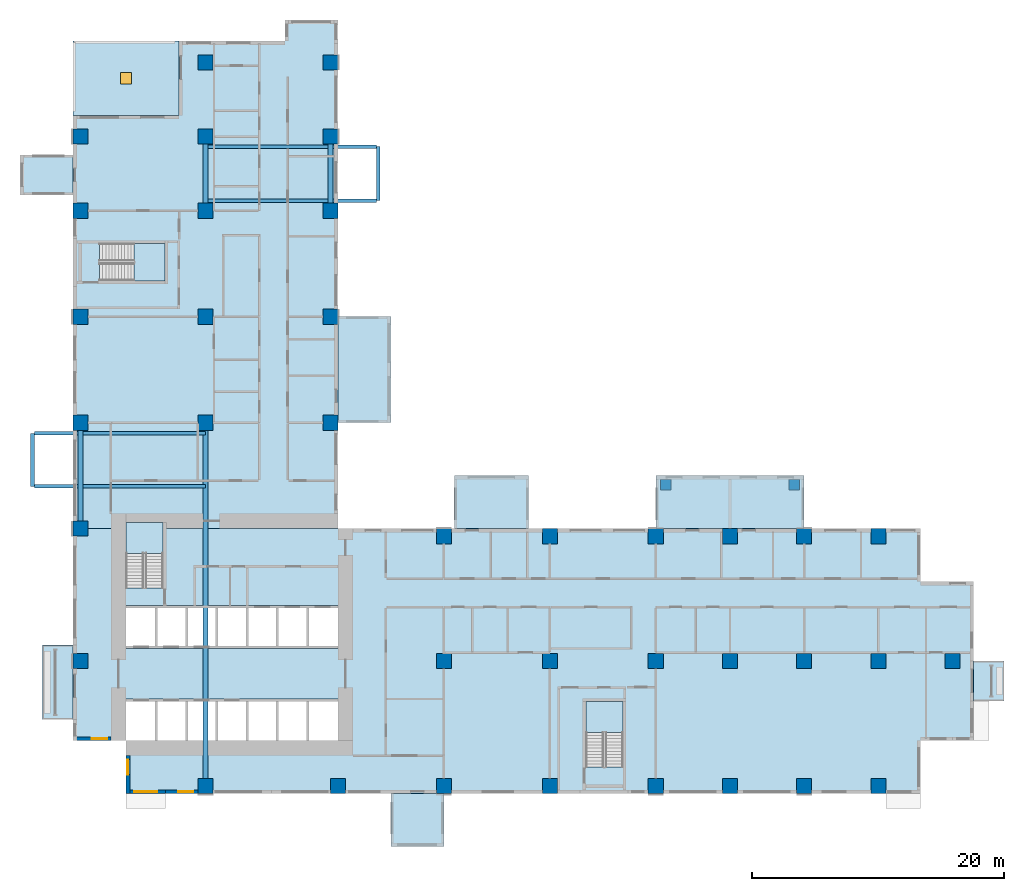
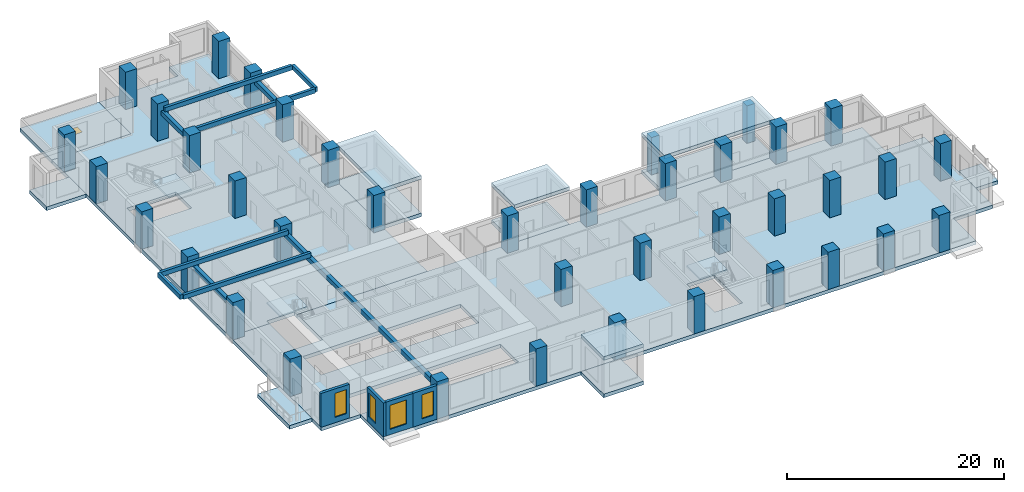
# One storey, part 1 of 15: 39 columns, 17 slabs, 10 beams, 5 windows, 4 walls, 5 openings, 3 elements without a shape of their own.
"""IFC4 building model written with IfcOpenShell, lengths in metres."""

from ifc_helpers import new_model, si_unit, direction, frame, frame_2d, origin, origin_2d, place, context, subcontext, project, spatial, polyline, rectangle, outline, extrude, source, transform, mapped, material, layer, layer_set, material_profile, profile_set, type_object, element, fill, aggregate, save


model = new_model("IFC4")

# Units and contexts
model_context = context("Model", 3, precision=1e-05, world=origin(), true_north=direction((0.0, 1.0)))
body_context = subcontext(model_context, "Body", "Model", "MODEL_VIEW")
ifc_project = project(units=[si_unit("LENGTHUNIT", "METRE"), si_unit("AREAUNIT", "SQUARE_METRE"), si_unit("VOLUMEUNIT", "CUBIC_METRE"), si_unit("PLANEANGLEUNIT", "RADIAN"), si_unit("MASSUNIT", "GRAM", prefix="KILO")], contexts=[model_context])

# Site, building, storey
site_placement = place(None, origin())
site = spatial("IfcSite", under=ifc_project, at=site_placement, CompositionType="ELEMENT")
building_placement = place(site_placement, origin())
building = spatial("IfcBuilding", under=site, at=building_placement, Name="Aurelian Terraces", CompositionType="ELEMENT")
storey_placement = place(building_placement, frame((0.0, 0.0, 82.5)))
storey = spatial("IfcBuildingStorey", under=building, at=storey_placement, Name="L17", CompositionType="ELEMENT", Elevation=82.5)

# Columns
ifc_material_1 = material(Name="Concrete fc' 83 MPa", Category="concrete")
ifc_material_profile_1 = material_profile(ifc_material_1, rectangle(XDim=1.2, YDim=1.2, at=origin_2d()))
ifc_profile_set_1 = profile_set([ifc_material_profile_1], Name="Concrete fc' 83 MPa")
column_type_1 = type_object("IfcColumnType", Name="RC COLUMN 1200X1200 FC83", PredefinedType="COLUMN", material=ifc_profile_set_1)
shared_shape_1 = source(origin(), body_context, "Body", "SweptSolid", [
    extrude(rectangle(XDim=1.2, YDim=1.2, at=origin_2d()), origin(), (0.0, 0.0, 1.0), 4.2),
])
for number, where, z_axis, x_axis, name in (
    (1, (10.5, 0.6, 0.0), (0.0, 0.0, 1.0), (1.0, 0.0, 0.0), "Column 2/A L17"),
    (2, (21.0, 0.6, 0.0), (0.0, 0.0, 1.0), (1.0, 0.0, 0.0), "Column 3/A L17"),
    (3, (29.4, 0.6, 0.0), (0.0, 0.0, 1.0), (1.0, 0.0, 0.0), "Column 4/A L17"),
    (4, (37.8, 0.6, 0.0), (0.0, 0.0, 1.0), (1.0, 0.0, 0.0), "Column 5/A L17"),
    (5, (46.2, 0.6, 0.0), (0.0, 0.0, 1.0), (1.0, 0.0, 0.0), "Column 6/A L17"),
    (6, (52.08, 0.6, 0.0), (0.0, 0.0, 1.0), (1.0, 0.0, 0.0), "Column 7/A L17"),
    (7, (57.96, 0.6, 0.0), (0.0, 0.0, 1.0), (1.0, 0.0, 0.0), "Column 8/A L17"),
    (8, (63.84, 0.6, 0.0), (0.0, 0.0, 1.0), (1.0, 0.0, 0.0), "Column 9/A L17"),
    (9, (0.6, 10.5, 0.0), (0.0, 0.0, 1.0), (1.0, 0.0, 0.0), "Column 1/B L17"),
    (10, (29.4, 10.5, 0.0), (0.0, 0.0, 1.0), (1.0, 0.0, 0.0), "Column 4/B L17"),
    (11, (37.8, 10.5, 0.0), (0.0, 0.0, 1.0), (1.0, 0.0, 0.0), "Column 5/B L17"),
    (12, (46.2, 10.5, 0.0), (0.0, 0.0, 1.0), (1.0, 0.0, 0.0), "Column 6/B L17"),
    (13, (52.08, 10.5, 0.0), (0.0, 0.0, 1.0), (1.0, 0.0, 0.0), "Column 7/B L17"),
    (14, (57.96, 10.5, 0.0), (0.0, 0.0, 1.0), (1.0, 0.0, 0.0), "Column 8/B L17"),
    (15, (63.84, 10.5, 0.0), (0.0, 0.0, 1.0), (1.0, 0.0, 0.0), "Column 9/B L17"),
    (16, (69.72, 10.5, 0.0), (0.0, 0.0, 1.0), (1.0, 0.0, 0.0), "Column 10/B L17"),
    (17, (0.6, 21.0, 0.0), (0.0, 0.0, 1.0), (1.0, 0.0, 0.0), "Column 1/C L17"),
    (18, (29.4, 20.4, 0.0), (0.0, 0.0, 1.0), (1.0, 0.0, 0.0), "Column 4/C L17"),
    (19, (37.8, 20.4, 0.0), (0.0, 0.0, 1.0), (1.0, 0.0, 0.0), "Column 5/C L17"),
    (20, (46.2, 20.4, 0.0), (0.0, 0.0, 1.0), (1.0, 0.0, 0.0), "Column 6/C L17"),
    (21, (52.08, 20.4, 0.0), (0.0, 0.0, 1.0), (1.0, 0.0, 0.0), "Column 7/C L17"),
    (22, (57.96, 20.4, 0.0), (0.0, 0.0, 1.0), (1.0, 0.0, 0.0), "Column 8/C L17"),
    (23, (63.84, 20.4, 0.0), (0.0, 0.0, 1.0), (1.0, 0.0, 0.0), "Column 9/C L17"),
    (24, (0.6, 29.4, 0.0), (0.0, 0.0, 1.0), (1.0, 0.0, 0.0), "Column 1/D L17"),
    (25, (10.5, 29.4, 0.0), (0.0, 0.0, 1.0), (1.0, 0.0, 0.0), "Column 2/D L17"),
    (26, (20.4, 29.4, 0.0), (0.0, 0.0, 1.0), (1.0, 0.0, 0.0), "Column 3/D L17"),
    (27, (0.6, 37.8, 0.0), (0.0, 0.0, 1.0), (1.0, 0.0, 0.0), "Column 1/E L17"),
    (28, (10.5, 37.8, 0.0), (0.0, 0.0, 1.0), (1.0, 0.0, 0.0), "Column 2/E L17"),
    (29, (20.4, 37.8, 0.0), (0.0, 0.0, 1.0), (1.0, 0.0, 0.0), "Column 3/E L17"),
    (30, (0.6, 46.2, 0.0), (0.0, 0.0, 1.0), (1.0, 0.0, 0.0), "Column 1/F L17"),
    (31, (10.5, 46.2, 0.0), (0.0, 0.0, 1.0), (1.0, 0.0, 0.0), "Column 2/F L17"),
    (32, (20.4, 46.2, 0.0), (0.0, 0.0, 1.0), (1.0, 0.0, 0.0), "Column 3/F L17"),
    (33, (0.6, 52.08, 0.0), (0.0, 0.0, 1.0), (1.0, 0.0, 0.0), "Column 1/G L17"),
    (34, (10.5, 52.08, 0.0), (0.0, 0.0, 1.0), (1.0, 0.0, 0.0), "Column 2/G L17"),
    (35, (20.4, 52.08, 0.0), (0.0, 0.0, 1.0), (1.0, 0.0, 0.0), "Column 3/G L17"),
    (36, (10.5, 57.96, 0.0), (0.0, 0.0, 1.0), (1.0, 0.0, 0.0), "Column 2/H L17"),
    (37, (20.4, 57.96, 0.0), (0.0, 0.0, 1.0), (1.0, 0.0, 0.0), "Column 3/H L17"),
):
    element("IfcColumn", number, at=place(storey_placement, frame(where, z_axis=z_axis, x_axis=x_axis)), inside=storey, type_object=column_type_1, Name=name, PredefinedType="COLUMN", context=body_context, shape_type="MappedRepresentation", body=[
        mapped(shared_shape_1, transform((0.0, 0.0, 0.0), scale=1.0)),
    ])
ifc_material_2 = material(Name="Concrete fc' 55 MPa", Category="concrete")
ifc_material_profile_2 = material_profile(ifc_material_2, rectangle(XDim=0.84, YDim=0.84, at=origin_2d()))
ifc_profile_set_2 = profile_set([ifc_material_profile_2], Name="Concrete fc' 55 MPa")
column_type_2 = type_object("IfcColumnType", Name="BLOCK CORNER PIER 840X840", PredefinedType="COLUMN", material=ifc_profile_set_2)
shared_shape_2 = source(origin(), body_context, "Body", "SweptSolid", [
    extrude(rectangle(XDim=0.84, YDim=0.84, at=origin_2d()), origin(), (0.0, 0.0, 1.0), 4.2),
])
for number, where, z_axis, x_axis, name in (
    (38, (47.0, 24.48, 0.0), (0.0, 0.0, 1.0), (1.0, 0.0, 0.0), "Block pier K01.1 L17"),
    (39, (57.16, 24.48, 0.0), (0.0, 0.0, 1.0), (1.0, 0.0, 0.0), "Block pier K01.2 L17"),
):
    element("IfcColumn", number, at=place(storey_placement, frame(where, z_axis=z_axis, x_axis=x_axis)), inside=storey, type_object=column_type_2, Name=name, PredefinedType="COLUMN", context=body_context, shape_type="MappedRepresentation", body=[
        mapped(shared_shape_2, transform((0.0, 0.0, 0.0), scale=1.0)),
    ])

# Beams
ifc_material_3 = material(Name="Concrete fc' 40 MPa", Category="concrete")
ifc_material_profile_3 = material_profile(ifc_material_3, rectangle(XDim=0.4, YDim=0.5, at=origin_2d()))
ifc_profile_set_3 = profile_set([ifc_material_profile_3], Name="Concrete fc' 40 MPa")
beam_type_1 = type_object("IfcBeamType", Name="CONCRETE EDGE GIRDER 400X500", PredefinedType="BEAM", material=ifc_profile_set_3)
shared_shape_3 = source(origin(), body_context, "Body", "SweptSolid", [
    extrude(rectangle(XDim=0.4, YDim=0.5, at=origin_2d()), origin(), (0.0, 0.0, 1.0), 4.68),
])
for number, where, z_axis, x_axis, name in (
    (40, (20.4, 46.8, 3.05), (0.0, 1.0, 0.0), (-1.0, 0.0, 0.0), "Box girder L17 O49"),
    (41, (10.5, 46.8, 3.05), (0.0, 1.0, 0.0), (-1.0, 0.0, 0.0), "Box girder L17 I50"),
):
    element("IfcBeam", number, at=place(storey_placement, frame(where, z_axis=z_axis, x_axis=x_axis)), inside=storey, type_object=beam_type_1, Name=name, PredefinedType="BEAM", context=body_context, shape_type="MappedRepresentation", body=[
        mapped(shared_shape_3, transform((0.0, 0.0, 0.0), scale=1.0)),
    ])
ifc_material_profile_4 = material_profile(ifc_material_3, rectangle(XDim=0.3, YDim=0.5, at=origin_2d()))
ifc_profile_set_4 = profile_set([ifc_material_profile_4], Name="Concrete fc' 40 MPa")
beam_type_2 = type_object("IfcBeamType", Name="CONCRETE CANTILEVER BEAM 300X500", PredefinedType="BEAM", material=ifc_profile_set_4)
shared_shape_4 = source(origin(), body_context, "Body", "SweptSolid", [
    extrude(rectangle(XDim=0.3, YDim=0.5, at=origin_2d()), origin(), (0.0, 0.0, 1.0), 13.55),
])
for number, where, z_axis, x_axis, name in (
    (42, (24.05, 47.0, 3.55), (-1.0, 0.0, 0.0), (0.0, -1.0, 0.0), "Box cantilever beam J23.1"),
    (43, (24.05, 51.28, 3.55), (-1.0, 0.0, 0.0), (0.0, -1.0, 0.0), "Box cantilever beam J23.2"),
    (44, (-3.05, 24.36, 3.55), (1.0, 0.0, 0.0), (0.0, 1.0, 0.0), "Box cantilever beam J24.1"),
    (45, (-3.05, 28.56, 3.55), (1.0, 0.0, 0.0), (0.0, 1.0, 0.0), "Box cantilever beam J24.2"),
):
    element("IfcBeam", number, at=place(storey_placement, frame(where, z_axis=z_axis, x_axis=x_axis)), inside=storey, type_object=beam_type_2, Name=name, PredefinedType="BEAM", context=body_context, shape_type="MappedRepresentation", body=[
        mapped(shared_shape_4, transform((0.0, 0.0, 0.0), scale=1.0)),
    ])
shared_shape_5 = source(origin(), body_context, "Body", "SweptSolid", [
    extrude(rectangle(XDim=0.3, YDim=0.5, at=origin_2d()), origin(), (0.0, 0.0, 1.0), 4.28),
])
beam_1_placement = place(storey_placement, frame((24.2, 47.0, 3.55), z_axis=(0.0, 1.0, 0.0), x_axis=(-1.0, 0.0, 0.0)))
element("IfcBeam", 46, at=beam_1_placement, inside=storey, type_object=beam_type_2, Name="Box tip beam J23", PredefinedType="BEAM", context=body_context, shape_type="MappedRepresentation", body=[
    mapped(shared_shape_5, transform((0.0, 0.0, 0.0), scale=1.0)),
])
shared_shape_6 = source(origin(), body_context, "Body", "SweptSolid", [
    extrude(rectangle(XDim=0.4, YDim=0.5, at=origin_2d()), origin(), (0.0, 0.0, 1.0), 7.2),
])
beam_2_placement = place(storey_placement, frame((0.6, 21.6, 3.05), z_axis=(0.0, 1.0, 0.0), x_axis=(-1.0, 0.0, 0.0)))
element("IfcBeam", 47, at=beam_2_placement, inside=storey, type_object=beam_type_1, Name="Box girder L17 O51", PredefinedType="BEAM", context=body_context, shape_type="MappedRepresentation", body=[
    mapped(shared_shape_6, transform((0.0, 0.0, 0.0), scale=1.0)),
])
shared_shape_7 = source(origin(), body_context, "Body", "SweptSolid", [
    extrude(rectangle(XDim=0.4, YDim=0.5, at=origin_2d()), origin(), (0.0, 0.0, 1.0), 27.6),
])
beam_3_placement = place(storey_placement, frame((10.5, 1.2, 3.05), z_axis=(0.0, 1.0, 0.0), x_axis=(-1.0, 0.0, 0.0)))
element("IfcBeam", 48, at=beam_3_placement, inside=storey, type_object=beam_type_1, Name="Box girder L17 I52", PredefinedType="BEAM", context=body_context, shape_type="MappedRepresentation", body=[
    mapped(shared_shape_7, transform((0.0, 0.0, 0.0), scale=1.0)),
])
shared_shape_8 = source(origin(), body_context, "Body", "SweptSolid", [
    extrude(rectangle(XDim=0.3, YDim=0.5, at=origin_2d()), origin(), (0.0, 0.0, 1.0), 4.2),
])
beam_4_placement = place(storey_placement, frame((-3.2, 24.36, 3.55), z_axis=(0.0, 1.0, 0.0), x_axis=(-1.0, 0.0, 0.0)))
element("IfcBeam", 49, at=beam_4_placement, inside=storey, type_object=beam_type_2, Name="Box tip beam J24", PredefinedType="BEAM", context=body_context, shape_type="MappedRepresentation", body=[
    mapped(shared_shape_8, transform((0.0, 0.0, 0.0), scale=1.0)),
])

# Slabs
ifc_layer_1 = layer(ifc_material_3, 0.4)
ifc_layer_set_1 = layer_set([ifc_layer_1], Name="Balcony slab 400")
slab_type_1 = type_object("IfcSlabType", Name="Balcony slab 400", PredefinedType="NOTDEFINED", material=ifc_layer_set_1)
slab_1_placement = place(storey_placement, frame((0.0, 0.0, -0.4)))
element("IfcSlab", 50, at=slab_1_placement, inside=storey, type_object=slab_type_1, Name="Balcony slab L17 F14.34", PredefinedType="NOTDEFINED", context=body_context, shape_type="SweptSolid", body=[
    extrude(outline(polyline([(0.0, 11.76), (0.0, 5.88), (-2.4, 5.88), (-2.4, 11.76), (0.0, 11.76)])), origin(), (0.0, 0.0, 1.0), 0.4),
])
ifc_layer_2 = layer(ifc_material_3, 0.41)
ifc_layer_set_2 = layer_set([ifc_layer_2], Name="Box floor 410")
slab_type_2 = type_object("IfcSlabType", Name="Box floor 410", PredefinedType="NOTDEFINED", material=ifc_layer_set_2)
slab_2_placement = place(storey_placement, frame((0.0, 0.0, -0.41)))
element("IfcSlab", 51, at=slab_2_placement, inside=storey, type_object=slab_type_2, Name="Box floor L17 J22", PredefinedType="NOTDEFINED", context=body_context, shape_type="SweptSolid", body=[
    extrude(outline(polyline([(-4.2, 50.61), (-4.2, 47.46), (0.0, 47.46), (0.0, 50.61), (-4.2, 50.61)])), origin(), (0.0, 0.0, 1.0), 0.41),
])
ifc_layer_3 = layer(ifc_material_3, 0.4)
ifc_layer_set_3 = layer_set([ifc_layer_3], Name="Box roof 400")
slab_type_3 = type_object("IfcSlabType", Name="Box roof 400", PredefinedType="ROOF", material=ifc_layer_set_3)
slab_3_placement = place(storey_placement, frame((0.0, 0.0, 3.8)))
element("IfcSlab", 52, at=slab_3_placement, inside=storey, type_object=slab_type_3, Name="Box roof K01", PredefinedType="ROOF", context=body_context, shape_type="SweptSolid", body=[
    extrude(outline(polyline([(57.96, 25.2), (46.2, 25.2), (46.2, 21.0), (57.96, 21.0), (57.96, 25.2)])), origin(), (0.0, 0.0, 1.0), 0.4),
])
ifc_layer_4 = layer(ifc_material_3, 0.4)
ifc_layer_set_4 = layer_set([ifc_layer_4], Name="PT FLAT PLATE 400")
slab_type_4 = type_object("IfcSlabType", Name="PT FLAT PLATE 400", PredefinedType="FLOOR", material=ifc_layer_set_4)
slab_4_placement = place(storey_placement, frame((0.0, 0.0, -0.4)))
element("IfcSlab", 53, at=slab_4_placement, inside=storey, type_object=slab_type_4, Name="Floor slab W L17", PredefinedType="FLOOR", context=body_context, shape_type="SweptSolid", body=[
    extrude(outline(polyline([(0.0, 53.76), (8.4, 53.76), (8.4, 59.64), (16.8, 59.64), (16.8, 61.32), (21.0, 61.32), (21.0, 21.0), (7.14, 21.0), (7.14, 21.49), (4.21, 21.49), (4.21, 21.0), (0.0, 21.0), (0.0, 53.76)]), holes=[polyline([(7.29, 43.59), (2.11, 43.59), (2.11, 40.66), (7.29, 40.66), (7.29, 43.59)])]), origin(), (0.0, 0.0, 1.0), 0.4),
])

# Slab, opening, window
ifc_layer_5 = layer(ifc_material_3, 0.4)
ifc_layer_set_5 = layer_set([ifc_layer_5], Name="Roof slab 400")
slab_type_5 = type_object("IfcSlabType", Name="Roof slab 400", PredefinedType="ROOF", material=ifc_layer_set_5)
slab_5_placement = place(storey_placement, frame((0.0, 0.0, -0.4)))
slab_5 = element("IfcSlab", 54, at=slab_5_placement, inside=storey, type_object=slab_type_5, Name="Roof slab L17 L17-X1", PredefinedType="ROOF", context=body_context, shape_type="SweptSolid", body=[
    extrude(outline(polyline([(8.4, 59.64), (8.4, 53.76), (0.0, 53.76), (0.0, 59.64), (8.4, 59.64)])), origin(), (0.0, 0.0, 1.0), 0.4),
])
shared_shape_9 = source(origin(), body_context, "Body", "SweptSolid", [
    extrude(rectangle(XDim=0.9, YDim=0.9, at=origin_2d()), frame((0.0, 0.0, -0.01)), (0.0, 0.0, 1.0), 0.42),
])
opening_1_placement = place(slab_5_placement, frame((4.2, 56.7, 0.0)))
opening_1 = element("IfcOpeningElement", 55, at=opening_1_placement, cuts=slab_5, Name="Opening RH1", PredefinedType="OPENING", context=body_context, shape_type="MappedRepresentation", body=[
    mapped(shared_shape_9, transform((0.0, 0.0, 0.0), scale=1.0)),
])
ifc_material_4 = material(Name="Clear glazing", Category="glass")
window_type_1 = type_object("IfcWindowType", Name="ROOF HATCH", PartitioningType="SINGLE_PANEL", PredefinedType="SKYLIGHT", material=ifc_material_4)
shared_shape_10 = source(origin(), body_context, "Body", "SweptSolid", [
    extrude(rectangle(XDim=0.9, YDim=0.9, at=origin_2d()), origin(), (0.0, 0.0, 1.0), 0.05),
])
window_1_placement = place(opening_1_placement, frame((0.0, 0.0, 0.35)))
window_1 = element("IfcWindow", 56, at=window_1_placement, inside=storey, type_object=window_type_1, Name="Roof access hatch L17", OverallHeight=0.9, OverallWidth=0.9, PartitioningType="SINGLE_PANEL", PredefinedType="SKYLIGHT", context=body_context, shape_type="MappedRepresentation", body=[
    mapped(shared_shape_10, transform((0.0, 0.0, 0.0), scale=1.0)),
])
fill(opening_1, window_1)

# Slabs
shared_shape_11 = source(origin(), body_context, "Body", "SweptSolid", [
    extrude(outline(polyline([(71.4, 16.8), (71.4, 4.2), (67.2, 4.2), (67.2, 0.0), (21.0, 0.0), (4.2, 0.0), (4.2, 4.2), (0.0, 4.2), (0.0, 21.0), (4.21, 21.0), (4.21, 16.31), (7.14, 16.31), (7.14, 21.0), (21.0, 21.0), (67.2, 21.0), (67.2, 16.8), (71.4, 16.8)]), holes=[polyline([(40.66, 2.11), (43.59, 2.11), (43.59, 7.29), (40.66, 7.29), (40.66, 2.11)]), polyline([(4.21, 7.49), (4.21, 4.21), (20.99, 4.21), (20.99, 7.49), (4.21, 7.49)]), polyline([(4.21, 14.89), (4.21, 11.51), (20.99, 11.51), (20.99, 14.89), (4.21, 14.89)])]), origin(), (0.0, 0.0, 1.0), 0.4),
])
slab_6_placement = place(storey_placement, frame((0.0, 0.0, -0.4)))
element("IfcSlab", 57, at=slab_6_placement, inside=storey, type_object=slab_type_4, Name="Floor slab S L17", PredefinedType="FLOOR", context=body_context, shape_type="MappedRepresentation", body=[
    mapped(shared_shape_11, transform((0.0, 0.0, 0.0), scale=1.0)),
])
shared_shape_12 = source(origin(), body_context, "Body", "SweptSolid", [
    extrude(outline(polyline([(25.2, 29.4), (25.2, 37.8), (21.0, 37.8), (21.0, 29.4), (25.2, 29.4)])), origin(), (0.0, 0.0, 1.0), 0.41),
])
slab_7_placement = place(storey_placement, frame((0.0, 0.0, -0.41)))
element("IfcSlab", 58, at=slab_7_placement, inside=storey, type_object=slab_type_2, Name="Box floor L17 J21", PredefinedType="NOTDEFINED", context=body_context, shape_type="MappedRepresentation", body=[
    mapped(shared_shape_12, transform((0.0, 0.0, 0.0), scale=1.0)),
])
shared_shape_13 = source(origin(), body_context, "Body", "SweptSolid", [
    extrude(outline(polyline([(57.96, 25.2), (46.2, 25.2), (46.2, 21.0), (57.96, 21.0), (57.96, 25.2)])), origin(), (0.0, 0.0, 1.0), 0.41),
])
slab_8_placement = place(storey_placement, frame((0.0, 0.0, -0.41)))
element("IfcSlab", 59, at=slab_8_placement, inside=storey, type_object=slab_type_2, Name="Box floor L17 K01", PredefinedType="NOTDEFINED", context=body_context, shape_type="MappedRepresentation", body=[
    mapped(shared_shape_13, transform((0.0, 0.0, 0.0), scale=1.0)),
])
shared_shape_14 = source(origin(), body_context, "Body", "SweptSolid", [
    extrude(outline(polyline([(36.12, 25.2), (30.24, 25.2), (30.24, 21.0), (36.12, 21.0), (36.12, 25.2)])), origin(), (0.0, 0.0, 1.0), 0.41),
])
slab_9_placement = place(storey_placement, frame((0.0, 0.0, -0.41)))
element("IfcSlab", 60, at=slab_9_placement, inside=storey, type_object=slab_type_2, Name="Box floor L17 J20", PredefinedType="NOTDEFINED", context=body_context, shape_type="MappedRepresentation", body=[
    mapped(shared_shape_14, transform((0.0, 0.0, 0.0), scale=1.0)),
])
shared_shape_15 = source(origin(), body_context, "Body", "SweptSolid", [
    extrude(outline(polyline([(71.4, 7.35), (71.4, 10.5), (73.8, 10.5), (73.8, 7.35), (71.4, 7.35)])), origin(), (0.0, 0.0, 1.0), 0.4),
])
slab_10_placement = place(storey_placement, frame((0.0, 0.0, -0.4)))
element("IfcSlab", 61, at=slab_10_placement, inside=storey, type_object=slab_type_1, Name="Balcony slab L17 F04.16", PredefinedType="NOTDEFINED", context=body_context, shape_type="MappedRepresentation", body=[
    mapped(shared_shape_15, transform((0.0, 0.0, 0.0), scale=1.0)),
])
shared_shape_16 = source(origin(), body_context, "Body", "SweptSolid", [
    extrude(outline(polyline([(25.2, -4.2), (29.4, -4.2), (29.4, 0.0), (25.2, 0.0), (25.2, -4.2)])), origin(), (0.0, 0.0, 1.0), 0.41),
])
slab_11_placement = place(storey_placement, frame((0.0, 0.0, -0.41)))
element("IfcSlab", 62, at=slab_11_placement, inside=storey, type_object=slab_type_2, Name="Box floor L17 J19", PredefinedType="NOTDEFINED", context=body_context, shape_type="MappedRepresentation", body=[
    mapped(shared_shape_16, transform((0.0, 0.0, 0.0), scale=1.0)),
])
shared_shape_17 = source(origin(), body_context, "Body", "SweptSolid", [
    extrude(outline(polyline([(36.12, 25.2), (30.24, 25.2), (30.24, 21.0), (36.12, 21.0), (36.12, 25.2)])), origin(), (0.0, 0.0, 1.0), 0.4),
])
slab_12_placement = place(storey_placement, frame((0.0, 0.0, 3.8)))
element("IfcSlab", 63, at=slab_12_placement, inside=storey, type_object=slab_type_3, Name="Box roof J20", PredefinedType="ROOF", context=body_context, shape_type="MappedRepresentation", body=[
    mapped(shared_shape_17, transform((0.0, 0.0, 0.0), scale=1.0)),
])
shared_shape_18 = source(origin(), body_context, "Body", "SweptSolid", [
    extrude(outline(polyline([(25.2, -4.2), (29.4, -4.2), (29.4, 0.0), (25.2, 0.0), (25.2, -4.2)])), origin(), (0.0, 0.0, 1.0), 0.4),
])
slab_13_placement = place(storey_placement, frame((0.0, 0.0, 3.8)))
element("IfcSlab", 64, at=slab_13_placement, inside=storey, type_object=slab_type_3, Name="Box roof J19", PredefinedType="ROOF", context=body_context, shape_type="MappedRepresentation", body=[
    mapped(shared_shape_18, transform((0.0, 0.0, 0.0), scale=1.0)),
])
shared_shape_19 = source(origin(), body_context, "Body", "SweptSolid", [
    extrude(outline(polyline([(25.2, 29.4), (25.2, 37.8), (21.0, 37.8), (21.0, 29.4), (25.2, 29.4)])), origin(), (0.0, 0.0, 1.0), 0.4),
])
slab_14_placement = place(storey_placement, frame((0.0, 0.0, 3.8)))
element("IfcSlab", 65, at=slab_14_placement, inside=storey, type_object=slab_type_3, Name="Box roof J21", PredefinedType="ROOF", context=body_context, shape_type="MappedRepresentation", body=[
    mapped(shared_shape_19, transform((0.0, 0.0, 0.0), scale=1.0)),
])

# Stair, slab
stair_type = type_object("IfcStairType", Name="Stair 1400", PredefinedType="HALF_TURN_STAIR", material=ifc_material_3)
stair_1_placement = place(storey_placement, origin())
stair_1 = element("IfcStair", 66, at=stair_1_placement, inside=storey, type_object=stair_type, Name="L17 S1", PredefinedType="HALF_TURN_STAIR")
ifc_layer_6 = layer(ifc_material_3, 0.2)
ifc_layer_set_6 = layer_set([ifc_layer_6], Name="Stair landing 200")
slab_type_6 = type_object("IfcSlabType", Name="Stair landing 200", PredefinedType="LANDING", material=ifc_layer_set_6)
shared_shape_20 = source(origin(), body_context, "Body", "SweptSolid", [
    extrude(outline(polyline([(7.15, 19.05), (7.15, 21.5), (4.2, 21.5), (4.2, 19.05), (7.15, 19.05)])), origin(), (0.0, 0.0, 1.0), 0.2),
])
slab_15_placement = place(storey_placement, frame((0.0, 0.0, 1.9)))
slab_15 = element("IfcSlab", 67, at=slab_15_placement, type_object=slab_type_6, Name="S1 landing 1", PredefinedType="LANDING", context=body_context, shape_type="MappedRepresentation", body=[
    mapped(shared_shape_20, transform((0.0, 0.0, 0.0), scale=1.0)),
])
aggregate(stair_1, [slab_15])

stair_2_placement = place(storey_placement, origin())
stair_2 = element("IfcStair", 68, at=stair_2_placement, inside=storey, type_object=stair_type, Name="L17 S2", PredefinedType="HALF_TURN_STAIR")
shared_shape_21 = source(origin(), body_context, "Body", "SweptSolid", [
    extrude(outline(polyline([(43.6, 4.85), (43.6, 7.3), (40.65, 7.3), (40.65, 4.85), (43.6, 4.85)])), origin(), (0.0, 0.0, 1.0), 0.2),
])
slab_16_placement = place(storey_placement, frame((0.0, 0.0, 1.9)))
slab_16 = element("IfcSlab", 69, at=slab_16_placement, type_object=slab_type_6, Name="S2 landing 1", PredefinedType="LANDING", context=body_context, shape_type="MappedRepresentation", body=[
    mapped(shared_shape_21, transform((0.0, 0.0, 0.0), scale=1.0)),
])
aggregate(stair_2, [slab_16])

stair_3_placement = place(storey_placement, origin())
stair_3 = element("IfcStair", 70, at=stair_3_placement, inside=storey, type_object=stair_type, Name="L17 S3", PredefinedType="HALF_TURN_STAIR")
shared_shape_22 = source(origin(), body_context, "Body", "SweptSolid", [
    extrude(outline(polyline([(4.85, 40.65), (7.3, 40.65), (7.3, 43.6), (4.85, 43.6), (4.85, 40.65)])), origin(), (0.0, 0.0, 1.0), 0.2),
])
slab_17_placement = place(storey_placement, frame((0.0, 0.0, 1.9)))
slab_17 = element("IfcSlab", 71, at=slab_17_placement, type_object=slab_type_6, Name="S3 landing 1", PredefinedType="LANDING", context=body_context, shape_type="MappedRepresentation", body=[
    mapped(shared_shape_22, transform((0.0, 0.0, 0.0), scale=1.0)),
])
aggregate(stair_3, [slab_17])

# Wall, opening, window
ifc_material_5 = material(Name="Terracotta rainscreen cladding", Category="masonry")
ifc_layer_7 = layer(ifc_material_5, 0.3)
ifc_layer_set_7 = layer_set([ifc_layer_7], Name="EW-300")
wall_type = type_object("IfcWallType", Name="EW-300", PredefinedType="STANDARD", material=ifc_layer_set_7)
shared_shape_23 = source(origin(), body_context, "Body", "SweptSolid", [
    extrude(rectangle(XDim=3.15, YDim=0.3, at=frame_2d((1.575, 0.0))), origin(), (0.0, 0.0, 1.0), 3.8),
])
wall_1_placement = place(storey_placement, frame((4.2, 0.15, 0.0), z_axis=(0.0, 0.0, 1.0), x_axis=(1.0, 0.0, 0.0)))
wall_1 = element("IfcWall", 72, at=wall_1_placement, inside=storey, type_object=wall_type, Name="External wall L17 F01.1", PredefinedType="STANDARD", context=body_context, shape_type="MappedRepresentation", body=[
    mapped(shared_shape_23, transform((0.0, 0.0, 0.0), scale=1.0)),
])
shared_shape_24 = source(origin(), body_context, "Body", "SweptSolid", [
    extrude(rectangle(XDim=1.8, YDim=2.7, at=frame_2d((0.9, 1.35))), frame((0.0, 0.16, 0.0), z_axis=(0.0, -1.0, 0.0), x_axis=(1.0, 0.0, 0.0)), (0.0, 0.0, 1.0), 0.32),
])
opening_2_placement = place(wall_1_placement, frame((0.675, 0.0, 0.6)))
opening_2 = element("IfcOpeningElement", 73, at=opening_2_placement, cuts=wall_1, Name="Opening W1827", PredefinedType="OPENING", context=body_context, shape_type="MappedRepresentation", body=[
    mapped(shared_shape_24, transform((0.0, 0.0, 0.0), scale=1.0)),
])
window_type_2 = type_object("IfcWindowType", Name="W-1800x2700", PartitioningType="SINGLE_PANEL", PredefinedType="WINDOW", material=ifc_material_4)
shared_shape_25 = source(origin(), body_context, "Body", "SweptSolid", [
    extrude(rectangle(XDim=1.8, YDim=2.7, at=frame_2d((0.9, 1.35))), frame((0.0, 0.03, 0.0), z_axis=(0.0, -1.0, 0.0), x_axis=(1.0, 0.0, 0.0)), (0.0, 0.0, 1.0), 0.06),
])
window_2_placement = place(opening_2_placement, origin())
window_2 = element("IfcWindow", 74, at=window_2_placement, inside=storey, type_object=window_type_2, Name="Window L17 L17-F01-01-0", OverallHeight=2.7, OverallWidth=1.8, PartitioningType="SINGLE_PANEL", PredefinedType="WINDOW", context=body_context, shape_type="MappedRepresentation", body=[
    mapped(shared_shape_25, transform((0.0, 0.0, 0.0), scale=1.0)),
])
fill(opening_2, window_2)

shared_shape_26 = source(origin(), body_context, "Body", "SweptSolid", [
    extrude(rectangle(XDim=3.0, YDim=0.3, at=frame_2d((1.5, 0.0))), origin(), (0.0, 0.0, 1.0), 3.8),
])
wall_2_placement = place(storey_placement, frame((0.0, 4.35, 0.0), z_axis=(0.0, 0.0, 1.0), x_axis=(1.0, 0.0, 0.0)))
wall_2 = element("IfcWall", 75, at=wall_2_placement, inside=storey, type_object=wall_type, Name="External wall L17 F15.36", PredefinedType="STANDARD", context=body_context, shape_type="MappedRepresentation", body=[
    mapped(shared_shape_26, transform((0.0, 0.0, 0.0), scale=1.0)),
])
shared_shape_27 = source(origin(), body_context, "Body", "SweptSolid", [
    extrude(rectangle(XDim=1.2, YDim=2.7, at=frame_2d((0.6, 1.35))), frame((0.0, 0.16, 0.0), z_axis=(0.0, -1.0, 0.0), x_axis=(1.0, 0.0, 0.0)), (0.0, 0.0, 1.0), 0.32),
])
opening_3_placement = place(wall_2_placement, frame((1.5, 0.0, 0.6)))
opening_3 = element("IfcOpeningElement", 76, at=opening_3_placement, cuts=wall_2, Name="Opening W1227", PredefinedType="OPENING", context=body_context, shape_type="MappedRepresentation", body=[
    mapped(shared_shape_27, transform((0.0, 0.0, 0.0), scale=1.0)),
])
window_type_3 = type_object("IfcWindowType", Name="W-1200x2700", PartitioningType="SINGLE_PANEL", PredefinedType="WINDOW", material=ifc_material_4)
shared_shape_28 = source(origin(), body_context, "Body", "SweptSolid", [
    extrude(rectangle(XDim=1.2, YDim=2.7, at=frame_2d((0.6, 1.35))), frame((0.0, 0.03, 0.0), z_axis=(0.0, -1.0, 0.0), x_axis=(1.0, 0.0, 0.0)), (0.0, 0.0, 1.0), 0.06),
])
window_3_placement = place(opening_3_placement, origin())
window_3 = element("IfcWindow", 77, at=window_3_placement, inside=storey, type_object=window_type_3, Name="Window L17 L17-F15-36-0", OverallHeight=2.7, OverallWidth=1.2, PartitioningType="SINGLE_PANEL", PredefinedType="WINDOW", context=body_context, shape_type="MappedRepresentation", body=[
    mapped(shared_shape_28, transform((0.0, 0.0, 0.0), scale=1.0)),
])
fill(opening_3, window_3)

wall_3_placement = place(storey_placement, frame((4.35, 3.0, 0.0), z_axis=(0.0, 0.0, 1.0), x_axis=(0.0, -1.0, 0.0)))
wall_3 = element("IfcWall", 78, at=wall_3_placement, inside=storey, type_object=wall_type, Name="External wall L17 F16.37", PredefinedType="STANDARD", context=body_context, shape_type="MappedRepresentation", body=[
    mapped(shared_shape_26, transform((0.0, 0.0, 0.0), scale=1.0)),
])
opening_4_placement = place(wall_3_placement, frame((0.3, 0.0, 0.6)))
opening_4 = element("IfcOpeningElement", 79, at=opening_4_placement, cuts=wall_3, Name="Opening W1227", PredefinedType="OPENING", context=body_context, shape_type="MappedRepresentation", body=[
    mapped(shared_shape_27, transform((0.0, 0.0, 0.0), scale=1.0)),
])
window_4_placement = place(opening_4_placement, origin())
window_4 = element("IfcWindow", 80, at=window_4_placement, inside=storey, type_object=window_type_3, Name="Window L17 L17-F16-37-0", OverallHeight=2.7, OverallWidth=1.2, PartitioningType="SINGLE_PANEL", PredefinedType="WINDOW", context=body_context, shape_type="MappedRepresentation", body=[
    mapped(shared_shape_28, transform((0.0, 0.0, 0.0), scale=1.0)),
])
fill(opening_4, window_4)

shared_shape_29 = source(origin(), body_context, "Body", "SweptSolid", [
    extrude(rectangle(XDim=2.55, YDim=0.3, at=frame_2d((1.275, 0.0))), origin(), (0.0, 0.0, 1.0), 3.8),
])
wall_4_placement = place(storey_placement, frame((7.35, 0.15, 0.0), z_axis=(0.0, 0.0, 1.0), x_axis=(1.0, 0.0, 0.0)))
wall_4 = element("IfcWall", 81, at=wall_4_placement, inside=storey, type_object=wall_type, Name="External wall L17 F01.2", PredefinedType="STANDARD", context=body_context, shape_type="MappedRepresentation", body=[
    mapped(shared_shape_29, transform((0.0, 0.0, 0.0), scale=1.0)),
])
opening_5_placement = place(wall_4_placement, frame((0.975, 0.0, 0.6)))
opening_5 = element("IfcOpeningElement", 82, at=opening_5_placement, cuts=wall_4, Name="Opening W1227", PredefinedType="OPENING", context=body_context, shape_type="MappedRepresentation", body=[
    mapped(shared_shape_27, transform((0.0, 0.0, 0.0), scale=1.0)),
])
window_5_placement = place(opening_5_placement, origin())
window_5 = element("IfcWindow", 83, at=window_5_placement, inside=storey, type_object=window_type_3, Name="Window L17 L17-F01-02-0", OverallHeight=2.7, OverallWidth=1.2, PartitioningType="SINGLE_PANEL", PredefinedType="WINDOW", context=body_context, shape_type="MappedRepresentation", body=[
    mapped(shared_shape_28, transform((0.0, 0.0, 0.0), scale=1.0)),
])
fill(opening_5, window_5)

save(model, "model.ifc")
